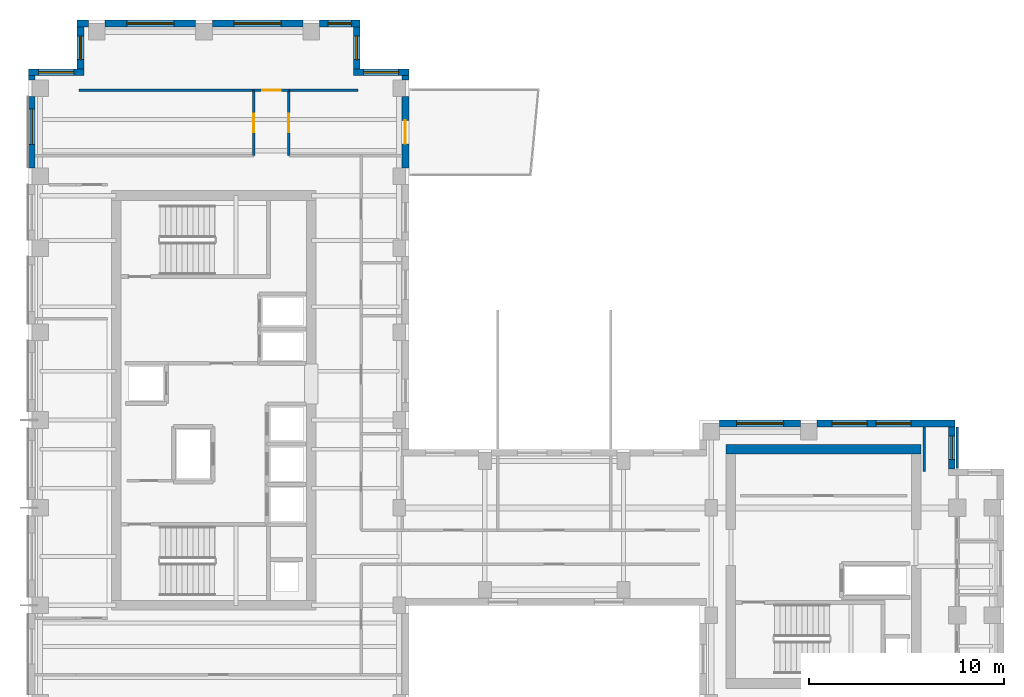
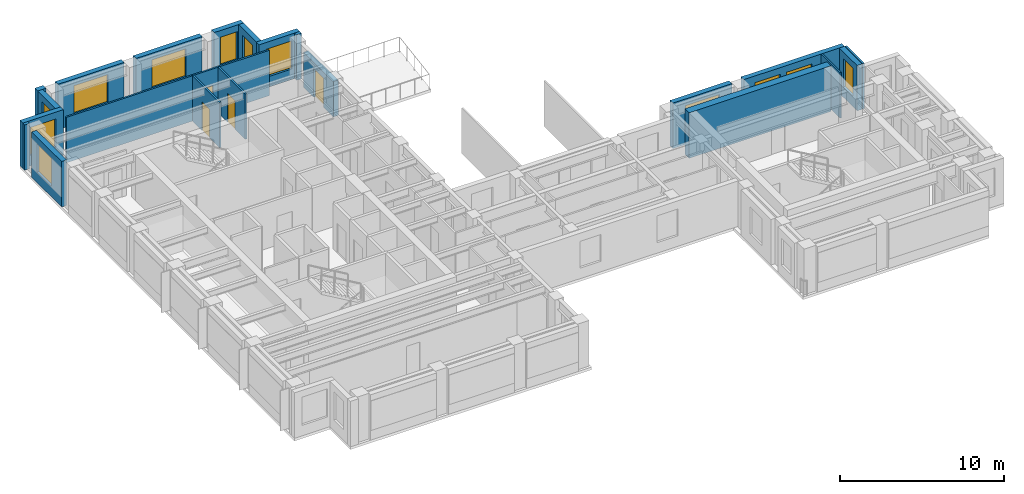
# One storey, part 7 of 10: 23 walls, 12 windows, 4 doors, 16 openings.
"""IFC4 building model written with IfcOpenShell, lengths in metres."""

from ifc_helpers import new_model, si_unit, direction, frame, frame_2d, origin, place, context, subcontext, project, spatial, rectangle, extrude, source, transform, mapped, material, layer, layer_set, type_object, element, fill, save


model = new_model("IFC4")

# Units and contexts
model_context = context("Model", 3, precision=1e-05, world=origin(), true_north=direction((0.0, 1.0)))
body_context = subcontext(model_context, "Body", "Model", "MODEL_VIEW")
ifc_project = project(units=[si_unit("LENGTHUNIT", "METRE"), si_unit("AREAUNIT", "SQUARE_METRE"), si_unit("VOLUMEUNIT", "CUBIC_METRE"), si_unit("PLANEANGLEUNIT", "RADIAN"), si_unit("MASSUNIT", "GRAM", prefix="KILO")], contexts=[model_context])

# Site, building, storey
site_placement = place(None, origin())
site = spatial("IfcSite", under=ifc_project, at=site_placement, CompositionType="ELEMENT")
building_placement = place(site_placement, origin())
building = spatial("IfcBuilding", under=site, at=building_placement, Name="Kharzan Plaza Tower", CompositionType="ELEMENT")
storey_placement = place(building_placement, frame((0.0, 0.0, 223.199951171875)))
storey = spatial("IfcBuildingStorey", under=building, at=storey_placement, Name="L60", CompositionType="ELEMENT", Elevation=223.199951171875)

# Wall, opening, door
ifc_material_1 = material(Name="Concrete C40/50", Category="concrete")
ifc_layer_1 = layer(ifc_material_1, 0.35009765625)
ifc_layer_set_1 = layer_set([ifc_layer_1], Name="Concrete C40/50")
wall_type_1 = type_object("IfcWallType", Name="WL-EXT-MAS-Z4", PredefinedType="SOLIDWALL", material=ifc_layer_set_1)
wall_1_placement = place(storey_placement, frame((19.324951171875, 30.923095703125, 0.0), z_axis=(0.0, 0.0, 1.0), x_axis=(0.0, 1.0, 0.0)))
wall_1 = element("IfcWall", 1, at=wall_1_placement, inside=storey, type_object=wall_type_1, Name="L60 Masonry-Frame Exterior Wall 05", PredefinedType="SOLIDWALL", context=body_context, shape_type="SweptSolid", body=[
    extrude(rectangle(XDim=3.65380859375, YDim=0.35009765625, at=frame_2d((1.826904296875, 0.0))), origin(), (0.0, 0.0, 1.0), 2.619140625),
])
opening_1_placement = place(wall_1_placement, frame((1.22705078125, 0.0, 0.0)))
opening_1 = element("IfcOpeningElement", 2, at=opening_1_placement, cuts=wall_1, Name="Opening ED3", PredefinedType="OPENING", context=body_context, shape_type="SweptSolid", body=[
    extrude(rectangle(XDim=1.199951171875, YDim=2.14990234375, at=frame_2d((0.60009765625, 1.074951171875))), frame((0.0, 0.18505859375, 0.0), z_axis=(0.0, -1.0, 0.0), x_axis=(1.0, 0.0, 0.0)), (0.0, 0.0, 1.0), 0.3701171875),
])
ifc_material_2 = material(Name="Thermally Broken Anodized Bronze Aluminium", Category="aluminium")
door_type_1 = type_object("IfcDoorType", Name="DR-EXT-TRAY-1200", OperationType="SINGLE_SWING_LEFT", PredefinedType="DOOR", material=ifc_material_2)
shared_shape_1 = source(origin(), body_context, "Body", "SweptSolid", [
    extrude(rectangle(XDim=1.199951171875, YDim=2.14990234375, at=frame_2d((0.60009765625, 1.074951171875))), frame((0.0, 0.02490234375, 0.0), z_axis=(0.0, -1.0, 0.0), x_axis=(1.0, 0.0, 0.0)), (0.0, 0.0, 1.0), 0.050048828125),
])
door_1_placement = place(opening_1_placement, frame((1.199951171875, 0.0, 0.0), z_axis=(0.0, 0.0, 1.0), x_axis=(-1.0, 0.0, 0.0)))
door_1 = element("IfcDoor", 3, at=door_1_placement, inside=storey, type_object=door_type_1, Name="L60 Cantilevered Sky-Terrace Tray Access Door", OperationType="SINGLE_SWING_LEFT", OverallHeight=2.14990234375, OverallWidth=1.199951171875, PredefinedType="DOOR", context=body_context, shape_type="MappedRepresentation", body=[
    mapped(shared_shape_1, transform((0.0, 0.0, 0.0), x_axis=(1.0, 0.0, 0.0), y_axis=(0.0, 1.0, 0.0), z_axis=(0.0, 0.0, 1.0))),
])
fill(opening_1, door_1)

# Wall, opening, window
wall_2_placement = place(storey_placement, frame((19.5, 35.824951171875, 0.0), z_axis=(0.0, 0.0, 1.0), x_axis=(-1.0, 0.0, 0.0)))
wall_2 = element("IfcWall", 4, at=wall_2_placement, inside=storey, type_object=wall_type_1, Name="L60 Masonry-Frame Exterior Wall 07", PredefinedType="SOLIDWALL", context=body_context, shape_type="SweptSolid", body=[
    extrude(rectangle(XDim=2.85009765625, YDim=0.35009765625, at=frame_2d((1.425048828125, 0.0))), origin(), (0.0, 0.0, 1.0), 3.385009765625),
])
opening_2_placement = place(wall_2_placement, frame((0.52490234375, 0.0, 0.780029296875)))
opening_2 = element("IfcOpeningElement", 5, at=opening_2_placement, cuts=wall_2, Name="Opening W1", PredefinedType="OPENING", context=body_context, shape_type="SweptSolid", body=[
    extrude(rectangle(XDim=1.800048828125, YDim=2.10009765625, at=frame_2d((0.89990234375, 1.050048828125))), frame((0.0, 0.18505859375, 0.0), z_axis=(0.0, -1.0, 0.0), x_axis=(1.0, 0.0, 0.0)), (0.0, 0.0, 1.0), 0.3701171875),
])
ifc_material_3 = material(Name="Low-E Double Glazing", Category="glass")
window_type_1 = type_object("IfcWindowType", Name="WN-REC-1800x2100", PartitioningType="SINGLE_PANEL", PredefinedType="WINDOW", material=ifc_material_3)
shared_shape_2 = source(origin(), body_context, "Body", "SweptSolid", [
    extrude(rectangle(XDim=1.800048828125, YDim=2.10009765625, at=frame_2d((0.89990234375, 1.050048828125))), frame((0.0, 0.030029296875, 0.0), z_axis=(0.0, -1.0, 0.0), x_axis=(1.0, 0.0, 0.0)), (0.0, 0.0, 1.0), 0.06005859375),
])
window_1_placement = place(opening_2_placement, origin())
window_1 = element("IfcWindow", 6, at=window_1_placement, inside=storey, type_object=window_type_1, Name="L60 Recessed Solar-Control Window 07-1", OverallHeight=2.10009765625, OverallWidth=1.800048828125, PartitioningType="SINGLE_PANEL", PredefinedType="WINDOW", context=body_context, shape_type="MappedRepresentation", body=[
    mapped(shared_shape_2, transform((0.0, 0.0, 0.0), x_axis=(1.0, 0.0, 0.0), y_axis=(0.0, 1.0, 0.0), z_axis=(0.0, 0.0, 1.0))),
])
fill(opening_2, window_1)

wall_3_placement = place(storey_placement, frame((16.824951171875, 35.998046875, 0.0), z_axis=(0.0, 0.0, 1.0), x_axis=(0.0, 1.0, 0.0)))
wall_3 = element("IfcWall", 7, at=wall_3_placement, inside=storey, type_object=wall_type_1, Name="L60 Masonry-Frame Exterior Wall 08", PredefinedType="SOLIDWALL", context=body_context, shape_type="SweptSolid", body=[
    extrude(rectangle(XDim=2.154052734375, YDim=0.35009765625, at=frame_2d((1.0771484375, 0.0))), origin(), (0.0, 0.0, 1.0), 3.385009765625),
])
opening_3_placement = place(wall_3_placement, frame((0.47705078125, 0.0, 0.780029296875)))
opening_3 = element("IfcOpeningElement", 8, at=opening_3_placement, cuts=wall_3, Name="Opening W3", PredefinedType="OPENING", context=body_context, shape_type="SweptSolid", body=[
    extrude(rectangle(XDim=1.199951171875, YDim=2.10009765625, at=frame_2d((0.60009765625, 1.050048828125))), frame((0.0, 0.18505859375, 0.0), z_axis=(0.0, -1.0, 0.0), x_axis=(1.0, 0.0, 0.0)), (0.0, 0.0, 1.0), 0.3701171875),
])
window_type_2 = type_object("IfcWindowType", Name="WN-REC-1200x2100", PartitioningType="SINGLE_PANEL", PredefinedType="WINDOW", material=ifc_material_3)
shared_shape_3 = source(origin(), body_context, "Body", "SweptSolid", [
    extrude(rectangle(XDim=1.199951171875, YDim=2.10009765625, at=frame_2d((0.60009765625, 1.050048828125))), frame((0.0, 0.030029296875, 0.0), z_axis=(0.0, -1.0, 0.0), x_axis=(1.0, 0.0, 0.0)), (0.0, 0.0, 1.0), 0.06005859375),
])
window_2_placement = place(opening_3_placement, origin())
window_2 = element("IfcWindow", 9, at=window_2_placement, inside=storey, type_object=window_type_2, Name="L60 Recessed Solar-Control Window 08-1", OverallHeight=2.10009765625, OverallWidth=1.199951171875, PartitioningType="SINGLE_PANEL", PredefinedType="WINDOW", context=body_context, shape_type="MappedRepresentation", body=[
    mapped(shared_shape_3, transform((0.0, 0.0, 0.0), x_axis=(1.0, 0.0, 0.0), y_axis=(0.0, 1.0, 0.0), z_axis=(0.0, 0.0, 1.0))),
])
fill(opening_3, window_2)

wall_4_placement = place(storey_placement, frame((17.0, 38.324951171875, 0.0), z_axis=(0.0, 0.0, 1.0), x_axis=(-1.0, 0.0, 0.0)))
wall_4 = element("IfcWall", 10, at=wall_4_placement, inside=storey, type_object=wall_type_1, Name="L60 Masonry-Frame Exterior Wall 09", PredefinedType="SOLIDWALL", context=body_context, shape_type="SweptSolid", body=[
    extrude(rectangle(XDim=2.076904296875, YDim=0.35009765625, at=frame_2d((1.03857421875, 0.0))), origin(), (0.0, 0.0, 1.0), 3.385009765625),
])
opening_4_placement = place(wall_4_placement, frame((0.4384765625, 0.0, 0.780029296875)))
opening_4 = element("IfcOpeningElement", 11, at=opening_4_placement, cuts=wall_4, Name="Opening W3", PredefinedType="OPENING", context=body_context, shape_type="SweptSolid", body=[
    extrude(rectangle(XDim=1.199951171875, YDim=2.10009765625, at=frame_2d((0.60009765625, 1.050048828125))), frame((0.0, 0.18505859375, 0.0), z_axis=(0.0, -1.0, 0.0), x_axis=(1.0, 0.0, 0.0)), (0.0, 0.0, 1.0), 0.3701171875),
])
window_3_placement = place(opening_4_placement, origin())
window_3 = element("IfcWindow", 12, at=window_3_placement, inside=storey, type_object=window_type_2, Name="L60 Recessed Solar-Control Window 09-1", OverallHeight=2.10009765625, OverallWidth=1.199951171875, PartitioningType="SINGLE_PANEL", PredefinedType="WINDOW", context=body_context, shape_type="MappedRepresentation", body=[
    mapped(shared_shape_3, transform((0.0, 0.0, 0.0), x_axis=(1.0, 0.0, 0.0), y_axis=(0.0, 1.0, 0.0), z_axis=(0.0, 0.0, 1.0))),
])
fill(opening_4, window_3)

wall_5_placement = place(storey_placement, frame((14.076904296875, 38.324951171875, 0.0), z_axis=(0.0, 0.0, 1.0), x_axis=(-1.0, 0.0, 0.0)))
wall_5 = element("IfcWall", 13, at=wall_5_placement, inside=storey, type_object=wall_type_1, Name="L60 Masonry-Frame Exterior Wall 10", PredefinedType="SOLIDWALL", context=body_context, shape_type="SweptSolid", body=[
    extrude(rectangle(XDim=4.65380859375, YDim=0.35009765625, at=frame_2d((2.326904296875, 0.0))), origin(), (0.0, 0.0, 1.0), 3.385009765625),
])
opening_5_placement = place(wall_5_placement, frame((1.126953125, 0.0, 0.780029296875)))
opening_5 = element("IfcOpeningElement", 14, at=opening_5_placement, cuts=wall_5, Name="Opening W2", PredefinedType="OPENING", context=body_context, shape_type="SweptSolid", body=[
    extrude(rectangle(XDim=2.39990234375, YDim=2.10009765625, at=frame_2d((1.199951171875, 1.050048828125))), frame((0.0, 0.18505859375, 0.0), z_axis=(0.0, -1.0, 0.0), x_axis=(1.0, 0.0, 0.0)), (0.0, 0.0, 1.0), 0.3701171875),
])
window_type_3 = type_object("IfcWindowType", Name="WN-REC-2400x2100", PartitioningType="SINGLE_PANEL", PredefinedType="WINDOW", material=ifc_material_3)
shared_shape_4 = source(origin(), body_context, "Body", "SweptSolid", [
    extrude(rectangle(XDim=2.39990234375, YDim=2.10009765625, at=frame_2d((1.199951171875, 1.050048828125))), frame((0.0, 0.030029296875, 0.0), z_axis=(0.0, -1.0, 0.0), x_axis=(1.0, 0.0, 0.0)), (0.0, 0.0, 1.0), 0.06005859375),
])
window_4_placement = place(opening_5_placement, origin())
window_4 = element("IfcWindow", 15, at=window_4_placement, inside=storey, type_object=window_type_3, Name="L60 Wide Recessed Solar-Control Window 10-1", OverallHeight=2.10009765625, OverallWidth=2.39990234375, PartitioningType="SINGLE_PANEL", PredefinedType="WINDOW", context=body_context, shape_type="MappedRepresentation", body=[
    mapped(shared_shape_4, transform((0.0, 0.0, 0.0), x_axis=(1.0, 0.0, 0.0), y_axis=(0.0, 1.0, 0.0), z_axis=(0.0, 0.0, 1.0))),
])
fill(opening_5, window_4)

wall_6_placement = place(storey_placement, frame((8.576904296875, 38.324951171875, 0.0), z_axis=(0.0, 0.0, 1.0), x_axis=(-1.0, 0.0, 0.0)))
wall_6 = element("IfcWall", 16, at=wall_6_placement, inside=storey, type_object=wall_type_1, Name="L60 Masonry-Frame Exterior Wall 11", PredefinedType="SOLIDWALL", context=body_context, shape_type="SweptSolid", body=[
    extrude(rectangle(XDim=4.65380859375, YDim=0.35009765625, at=frame_2d((2.326904296875, 0.0))), origin(), (0.0, 0.0, 1.0), 3.385009765625),
])
opening_6_placement = place(wall_6_placement, frame((1.126953125, 0.0, 0.780029296875)))
opening_6 = element("IfcOpeningElement", 17, at=opening_6_placement, cuts=wall_6, Name="Opening W2", PredefinedType="OPENING", context=body_context, shape_type="SweptSolid", body=[
    extrude(rectangle(XDim=2.39990234375, YDim=2.10009765625, at=frame_2d((1.199951171875, 1.050048828125))), frame((0.0, 0.18505859375, 0.0), z_axis=(0.0, -1.0, 0.0), x_axis=(1.0, 0.0, 0.0)), (0.0, 0.0, 1.0), 0.3701171875),
])
window_5_placement = place(opening_6_placement, origin())
window_5 = element("IfcWindow", 18, at=window_5_placement, inside=storey, type_object=window_type_3, Name="L60 Wide Recessed Solar-Control Window 11-1", OverallHeight=2.10009765625, OverallWidth=2.39990234375, PartitioningType="SINGLE_PANEL", PredefinedType="WINDOW", context=body_context, shape_type="MappedRepresentation", body=[
    mapped(shared_shape_4, transform((0.0, 0.0, 0.0), x_axis=(1.0, 0.0, 0.0), y_axis=(0.0, 1.0, 0.0), z_axis=(0.0, 0.0, 1.0))),
])
fill(opening_6, window_5)

wall_7_placement = place(storey_placement, frame((2.675048828125, 38.152099609375, 0.0), z_axis=(0.0, 0.0, 1.0), x_axis=(0.0, -1.0, 0.0)))
wall_7 = element("IfcWall", 19, at=wall_7_placement, inside=storey, type_object=wall_type_1, Name="L60 Masonry-Frame Exterior Wall 13", PredefinedType="SOLIDWALL", context=body_context, shape_type="SweptSolid", body=[
    extrude(rectangle(XDim=2.154052734375, YDim=0.35009765625, at=frame_2d((1.0771484375, 0.0))), origin(), (0.0, 0.0, 1.0), 3.385009765625),
])
opening_7_placement = place(wall_7_placement, frame((0.47705078125, 0.0, 0.780029296875)))
opening_7 = element("IfcOpeningElement", 20, at=opening_7_placement, cuts=wall_7, Name="Opening W3", PredefinedType="OPENING", context=body_context, shape_type="SweptSolid", body=[
    extrude(rectangle(XDim=1.199951171875, YDim=2.10009765625, at=frame_2d((0.60009765625, 1.050048828125))), frame((0.0, 0.18505859375, 0.0), z_axis=(0.0, -1.0, 0.0), x_axis=(1.0, 0.0, 0.0)), (0.0, 0.0, 1.0), 0.3701171875),
])
window_6_placement = place(opening_7_placement, origin())
window_6 = element("IfcWindow", 21, at=window_6_placement, inside=storey, type_object=window_type_2, Name="L60 Recessed Solar-Control Window 13-1", OverallHeight=2.10009765625, OverallWidth=1.199951171875, PartitioningType="SINGLE_PANEL", PredefinedType="WINDOW", context=body_context, shape_type="MappedRepresentation", body=[
    mapped(shared_shape_3, transform((0.0, 0.0, 0.0), x_axis=(1.0, 0.0, 0.0), y_axis=(0.0, 1.0, 0.0), z_axis=(0.0, 0.0, 1.0))),
])
fill(opening_7, window_6)

wall_8_placement = place(storey_placement, frame((2.85009765625, 35.824951171875, 0.0), z_axis=(0.0, 0.0, 1.0), x_axis=(-1.0, 0.0, 0.0)))
wall_8 = element("IfcWall", 22, at=wall_8_placement, inside=storey, type_object=wall_type_1, Name="L60 Masonry-Frame Exterior Wall 14", PredefinedType="SOLIDWALL", context=body_context, shape_type="SweptSolid", body=[
    extrude(rectangle(XDim=2.85009765625, YDim=0.35009765625, at=frame_2d((1.425048828125, 0.0))), origin(), (0.0, 0.0, 1.0), 3.385009765625),
])
opening_8_placement = place(wall_8_placement, frame((0.52490234375, 0.0, 0.780029296875)))
opening_8 = element("IfcOpeningElement", 23, at=opening_8_placement, cuts=wall_8, Name="Opening W1", PredefinedType="OPENING", context=body_context, shape_type="SweptSolid", body=[
    extrude(rectangle(XDim=1.800048828125, YDim=2.10009765625, at=frame_2d((0.89990234375, 1.050048828125))), frame((0.0, 0.18505859375, 0.0), z_axis=(0.0, -1.0, 0.0), x_axis=(1.0, 0.0, 0.0)), (0.0, 0.0, 1.0), 0.3701171875),
])
window_7_placement = place(opening_8_placement, origin())
window_7 = element("IfcWindow", 24, at=window_7_placement, inside=storey, type_object=window_type_1, Name="L60 Recessed Solar-Control Window 14-1", OverallHeight=2.10009765625, OverallWidth=1.800048828125, PartitioningType="SINGLE_PANEL", PredefinedType="WINDOW", context=body_context, shape_type="MappedRepresentation", body=[
    mapped(shared_shape_2, transform((0.0, 0.0, 0.0), x_axis=(1.0, 0.0, 0.0), y_axis=(0.0, 1.0, 0.0), z_axis=(0.0, 0.0, 1.0))),
])
fill(opening_8, window_7)

wall_9_placement = place(storey_placement, frame((0.175048828125, 34.576904296875, 0.0), z_axis=(0.0, 0.0, 1.0), x_axis=(0.0, -1.0, 0.0)))
wall_9 = element("IfcWall", 25, at=wall_9_placement, inside=storey, type_object=wall_type_1, Name="L60 Masonry-Frame Exterior Wall 16", PredefinedType="SOLIDWALL", context=body_context, shape_type="SweptSolid", body=[
    extrude(rectangle(XDim=3.65380859375, YDim=0.35009765625, at=frame_2d((1.826904296875, 0.0))), origin(), (0.0, 0.0, 1.0), 3.385009765625),
])
opening_9_placement = place(wall_9_placement, frame((0.6484375, 0.0, 0.780029296875)))
opening_9 = element("IfcOpeningElement", 26, at=opening_9_placement, cuts=wall_9, Name="Opening W1", PredefinedType="OPENING", context=body_context, shape_type="SweptSolid", body=[
    extrude(rectangle(XDim=1.800048828125, YDim=2.10009765625, at=frame_2d((0.89990234375, 1.050048828125))), frame((0.0, 0.18505859375, 0.0), z_axis=(0.0, -1.0, 0.0), x_axis=(1.0, 0.0, 0.0)), (0.0, 0.0, 1.0), 0.3701171875),
])
window_8_placement = place(opening_9_placement, origin())
window_8 = element("IfcWindow", 27, at=window_8_placement, inside=storey, type_object=window_type_1, Name="L60 Recessed Solar-Control Window 16-1", OverallHeight=2.10009765625, OverallWidth=1.800048828125, PartitioningType="SINGLE_PANEL", PredefinedType="WINDOW", context=body_context, shape_type="MappedRepresentation", body=[
    mapped(shared_shape_2, transform((0.0, 0.0, 0.0), x_axis=(1.0, 0.0, 0.0), y_axis=(0.0, 1.0, 0.0), z_axis=(0.0, 0.0, 1.0))),
])
fill(opening_9, window_8)

wall_10_placement = place(storey_placement, frame((47.324951171875, 15.498046875, 0.0), z_axis=(0.0, 0.0, 1.0), x_axis=(0.0, 1.0, 0.0)))
wall_10 = element("IfcWall", 28, at=wall_10_placement, inside=storey, type_object=wall_type_1, Name="L60 Masonry-Frame Exterior Wall 44", PredefinedType="SOLIDWALL", context=body_context, shape_type="SweptSolid", body=[
    extrude(rectangle(XDim=2.154052734375, YDim=0.35009765625, at=frame_2d((1.0771484375, 0.0))), origin(), (0.0, 0.0, 1.0), 3.385009765625),
])
opening_10_placement = place(wall_10_placement, frame((0.47705078125, 0.0, 0.780029296875)))
opening_10 = element("IfcOpeningElement", 29, at=opening_10_placement, cuts=wall_10, Name="Opening W3", PredefinedType="OPENING", context=body_context, shape_type="SweptSolid", body=[
    extrude(rectangle(XDim=1.199951171875, YDim=2.10009765625, at=frame_2d((0.60009765625, 1.050048828125))), frame((0.0, 0.18505859375, 0.0), z_axis=(0.0, -1.0, 0.0), x_axis=(1.0, 0.0, 0.0)), (0.0, 0.0, 1.0), 0.3701171875),
])
window_9_placement = place(opening_10_placement, origin())
window_9 = element("IfcWindow", 30, at=window_9_placement, inside=storey, type_object=window_type_2, Name="L60 Recessed Solar-Control Window 44-1", OverallHeight=2.10009765625, OverallWidth=1.199951171875, PartitioningType="SINGLE_PANEL", PredefinedType="WINDOW", context=body_context, shape_type="MappedRepresentation", body=[
    mapped(shared_shape_3, transform((0.0, 0.0, 0.0), x_axis=(1.0, 0.0, 0.0), y_axis=(0.0, 1.0, 0.0), z_axis=(0.0, 0.0, 1.0))),
])
fill(opening_10, window_9)

# Wall, openings, windows
wall_11_placement = place(storey_placement, frame((47.5, 17.824951171875, 0.0), z_axis=(0.0, 0.0, 1.0), x_axis=(-1.0, 0.0, 0.0)))
wall_11 = element("IfcWall", 31, at=wall_11_placement, inside=storey, type_object=wall_type_1, Name="L60 Masonry-Frame Exterior Wall 45", PredefinedType="SOLIDWALL", context=body_context, shape_type="SweptSolid", body=[
    extrude(rectangle(XDim=7.076904296875, YDim=0.35009765625, at=frame_2d((3.53857421875, 0.0))), origin(), (0.0, 0.0, 1.0), 3.385009765625),
])
opening_11_placement = place(wall_11_placement, frame((2.272216796875, 0.0, 0.780029296875)))
opening_11 = element("IfcOpeningElement", 32, at=opening_11_placement, cuts=wall_11, Name="Opening W1", PredefinedType="OPENING", context=body_context, shape_type="SweptSolid", body=[
    extrude(rectangle(XDim=1.800048828125, YDim=2.10009765625, at=frame_2d((0.89990234375, 1.050048828125))), frame((0.0, 0.18505859375, 0.0), z_axis=(0.0, -1.0, 0.0), x_axis=(1.0, 0.0, 0.0)), (0.0, 0.0, 1.0), 0.3701171875),
])
opening_12_placement = place(wall_11_placement, frame((4.5146484375, 0.0, 0.780029296875)))
opening_12 = element("IfcOpeningElement", 33, at=opening_12_placement, cuts=wall_11, Name="Opening W1", PredefinedType="OPENING", context=body_context, shape_type="SweptSolid", body=[
    extrude(rectangle(XDim=1.800048828125, YDim=2.10009765625, at=frame_2d((0.89990234375, 1.050048828125))), frame((0.0, 0.18505859375, 0.0), z_axis=(0.0, -1.0, 0.0), x_axis=(1.0, 0.0, 0.0)), (0.0, 0.0, 1.0), 0.3701171875),
])
window_10_placement = place(opening_11_placement, origin())
window_10 = element("IfcWindow", 34, at=window_10_placement, inside=storey, type_object=window_type_1, Name="L60 Recessed Solar-Control Window 45-1", OverallHeight=2.10009765625, OverallWidth=1.800048828125, PartitioningType="SINGLE_PANEL", PredefinedType="WINDOW", context=body_context, shape_type="MappedRepresentation", body=[
    mapped(shared_shape_2, transform((0.0, 0.0, 0.0), x_axis=(1.0, 0.0, 0.0), y_axis=(0.0, 1.0, 0.0), z_axis=(0.0, 0.0, 1.0))),
])
fill(opening_11, window_10)
window_11_placement = place(opening_12_placement, origin())
window_11 = element("IfcWindow", 35, at=window_11_placement, inside=storey, type_object=window_type_1, Name="L60 Recessed Solar-Control Window 45-2", OverallHeight=2.10009765625, OverallWidth=1.800048828125, PartitioningType="SINGLE_PANEL", PredefinedType="WINDOW", context=body_context, shape_type="MappedRepresentation", body=[
    mapped(shared_shape_2, transform((0.0, 0.0, 0.0), x_axis=(1.0, 0.0, 0.0), y_axis=(0.0, 1.0, 0.0), z_axis=(0.0, 0.0, 1.0))),
])
fill(opening_12, window_11)

# Wall, opening, window
wall_12_placement = place(storey_placement, frame((39.576904296875, 17.824951171875, 0.0), z_axis=(0.0, 0.0, 1.0), x_axis=(-1.0, 0.0, 0.0)))
wall_12 = element("IfcWall", 36, at=wall_12_placement, inside=storey, type_object=wall_type_1, Name="L60 Masonry-Frame Exterior Wall 46", PredefinedType="SOLIDWALL", context=body_context, shape_type="SweptSolid", body=[
    extrude(rectangle(XDim=4.15380859375, YDim=0.35009765625, at=frame_2d((2.076904296875, 0.0))), origin(), (0.0, 0.0, 1.0), 3.385009765625),
])
opening_13_placement = place(wall_12_placement, frame((0.876953125, 0.0, 0.780029296875)))
opening_13 = element("IfcOpeningElement", 37, at=opening_13_placement, cuts=wall_12, Name="Opening W2", PredefinedType="OPENING", context=body_context, shape_type="SweptSolid", body=[
    extrude(rectangle(XDim=2.39990234375, YDim=2.10009765625, at=frame_2d((1.199951171875, 1.050048828125))), frame((0.0, 0.18505859375, 0.0), z_axis=(0.0, -1.0, 0.0), x_axis=(1.0, 0.0, 0.0)), (0.0, 0.0, 1.0), 0.3701171875),
])
window_12_placement = place(opening_13_placement, origin())
window_12 = element("IfcWindow", 38, at=window_12_placement, inside=storey, type_object=window_type_3, Name="L60 Wide Recessed Solar-Control Window 46-1", OverallHeight=2.10009765625, OverallWidth=2.39990234375, PartitioningType="SINGLE_PANEL", PredefinedType="WINDOW", context=body_context, shape_type="MappedRepresentation", body=[
    mapped(shared_shape_4, transform((0.0, 0.0, 0.0), x_axis=(1.0, 0.0, 0.0), y_axis=(0.0, 1.0, 0.0), z_axis=(0.0, 0.0, 1.0))),
])
fill(opening_13, window_12)

# Wall, opening, door
ifc_material_4 = material(Name="Fire-Rated Gypsum Board Partition", Category="gypsum")
ifc_layer_2 = layer(ifc_material_4, 0.125)
ifc_layer_set_2 = layer_set([ifc_layer_2], Name="Fire-Rated Gypsum Board Partition")
wall_type_2 = type_object("IfcWallType", Name="WL-INT-PART-125", PredefinedType="PARTITIONING", material=ifc_layer_set_2)
wall_13_placement = place(storey_placement, frame((13.35009765625, 31.550048828125, 0.0), z_axis=(0.0, 0.0, 1.0), x_axis=(0.0, 1.0, 0.0)))
wall_13 = element("IfcWall", 39, at=wall_13_placement, inside=storey, type_object=wall_type_2, Name="L60 Interior Partition SH-SPE-1", PredefinedType="PARTITIONING", context=body_context, shape_type="SweptSolid", body=[
    extrude(rectangle(XDim=3.349853515625, YDim=0.125, at=frame_2d((1.6748046875, 0.0))), origin(), (0.0, 0.0, 1.0), 3.385009765625),
])
opening_14_placement = place(wall_13_placement, frame((1.199951171875, 0.0, 0.0)))
opening_14 = element("IfcOpeningElement", 40, at=opening_14_placement, cuts=wall_13, Name="Opening OD1", PredefinedType="OPENING", context=body_context, shape_type="SweptSolid", body=[
    extrude(rectangle(XDim=0.949951171875, YDim=2.14990234375, at=frame_2d((0.47509765625, 1.074951171875))), frame((0.0, 0.072509765625, 0.0), z_axis=(0.0, -1.0, 0.0), x_axis=(1.0, 0.0, 0.0)), (0.0, 0.0, 1.0), 0.14501953125),
])
ifc_material_5 = material(Name="Acoustic Solid-Core Stained Oak", Category="timber")
door_type_2 = type_object("IfcDoorType", Name="DR-OFF-SINGLE", OperationType="NOTDEFINED", PredefinedType="DOOR", material=ifc_material_5)
shared_shape_5 = source(origin(), body_context, "Body", "SweptSolid", [
    extrude(rectangle(XDim=0.949951171875, YDim=2.14990234375, at=frame_2d((0.47509765625, 1.074951171875))), frame((0.0, 0.02490234375, 0.0), z_axis=(0.0, -1.0, 0.0), x_axis=(1.0, 0.0, 0.0)), (0.0, 0.0, 1.0), 0.050048828125),
])
door_2_placement = place(opening_14_placement, origin())
door_2 = element("IfcDoor", 41, at=door_2_placement, inside=storey, type_object=door_type_2, Name="L60 Executive Tea Pantry Door", OperationType="SINGLE_SWING_RIGHT", OverallHeight=2.14990234375, OverallWidth=0.949951171875, PredefinedType="DOOR", context=body_context, shape_type="MappedRepresentation", body=[
    mapped(shared_shape_5, transform((0.0, 0.0, 0.0), x_axis=(1.0, 0.0, 0.0), y_axis=(0.0, 1.0, 0.0), z_axis=(0.0, 0.0, 1.0))),
])
fill(opening_14, door_2)

wall_14_placement = place(storey_placement, frame((11.550048828125, 34.89990234375, 0.0), z_axis=(0.0, 0.0, 1.0), x_axis=(1.0, 0.0, 0.0)))
wall_14 = element("IfcWall", 42, at=wall_14_placement, inside=storey, type_object=wall_type_2, Name="L60 Interior Partition SH-SPHD", PredefinedType="PARTITIONING", context=body_context, shape_type="SweptSolid", body=[
    extrude(rectangle(XDim=1.800048828125, YDim=0.125, at=frame_2d((0.89990234375, 0.0))), origin(), (0.0, 0.0, 1.0), 3.385009765625),
])
opening_15_placement = place(wall_14_placement, frame((0.425048828125, 0.0, 0.0)))
opening_15 = element("IfcOpeningElement", 43, at=opening_15_placement, cuts=wall_14, Name="Opening OD1", PredefinedType="OPENING", context=body_context, shape_type="SweptSolid", body=[
    extrude(rectangle(XDim=0.949951171875, YDim=2.14990234375, at=frame_2d((0.47509765625, 1.074951171875))), frame((0.0, 0.072509765625, 0.0), z_axis=(0.0, -1.0, 0.0), x_axis=(1.0, 0.0, 0.0)), (0.0, 0.0, 1.0), 0.14501953125),
])
door_3_placement = place(opening_15_placement, origin())
door_3 = element("IfcDoor", 44, at=door_3_placement, inside=storey, type_object=door_type_2, Name="L60 North Boardroom Door", OperationType="SINGLE_SWING_LEFT", OverallHeight=2.14990234375, OverallWidth=0.949951171875, PredefinedType="DOOR", context=body_context, shape_type="MappedRepresentation", body=[
    mapped(shared_shape_5, transform((0.0, 0.0, 0.0), x_axis=(1.0, 0.0, 0.0), y_axis=(0.0, 1.0, 0.0), z_axis=(0.0, 0.0, 1.0))),
])
fill(opening_15, door_3)

wall_15_placement = place(storey_placement, frame((11.550048828125, 31.550048828125, 0.0), z_axis=(0.0, 0.0, 1.0), x_axis=(0.0, 1.0, 0.0)))
wall_15 = element("IfcWall", 45, at=wall_15_placement, inside=storey, type_object=wall_type_2, Name="L60 Interior Partition SH-SPW-1", PredefinedType="PARTITIONING", context=body_context, shape_type="SweptSolid", body=[
    extrude(rectangle(XDim=3.349853515625, YDim=0.125, at=frame_2d((1.6748046875, 0.0))), origin(), (0.0, 0.0, 1.0), 3.385009765625),
])
opening_16_placement = place(wall_15_placement, frame((1.199951171875, 0.0, 0.0)))
opening_16 = element("IfcOpeningElement", 46, at=opening_16_placement, cuts=wall_15, Name="Opening OD1", PredefinedType="OPENING", context=body_context, shape_type="SweptSolid", body=[
    extrude(rectangle(XDim=0.949951171875, YDim=2.14990234375, at=frame_2d((0.47509765625, 1.074951171875))), frame((0.0, 0.072509765625, 0.0), z_axis=(0.0, -1.0, 0.0), x_axis=(1.0, 0.0, 0.0)), (0.0, 0.0, 1.0), 0.14501953125),
])
door_4_placement = place(opening_16_placement, origin())
door_4 = element("IfcDoor", 47, at=door_4_placement, inside=storey, type_object=door_type_2, Name="L60 Legal Research Office Door", OperationType="SINGLE_SWING_LEFT", OverallHeight=2.14990234375, OverallWidth=0.949951171875, PredefinedType="DOOR", context=body_context, shape_type="MappedRepresentation", body=[
    mapped(shared_shape_5, transform((0.0, 0.0, 0.0), x_axis=(1.0, 0.0, 0.0), y_axis=(0.0, 1.0, 0.0), z_axis=(0.0, 0.0, 1.0))),
])
fill(opening_16, door_4)

# Walls
shared_shape_6 = source(origin(), body_context, "Body", "SweptSolid", [
    extrude(rectangle(XDim=2.2978515625, YDim=0.125, at=frame_2d((1.14892578125, 0.0))), origin(), (0.0, 0.0, 1.0), 3.385009765625),
])
wall_16_placement = place(storey_placement, frame((45.919921875, 15.35009765625, 0.0), z_axis=(0.0, 0.0, 1.0), x_axis=(0.0, 1.0, 0.0)))
element("IfcWall", 48, at=wall_16_placement, inside=storey, type_object=wall_type_2, Name="L60 Interior Partition SH-RBNE0", PredefinedType="PARTITIONING", context=body_context, shape_type="MappedRepresentation", body=[
    mapped(shared_shape_6, transform((0.0, 0.0, 0.0), x_axis=(1.0, 0.0, 0.0), y_axis=(0.0, 1.0, 0.0), z_axis=(0.0, 0.0, 1.0))),
])
ifc_material_6 = material(Name="Concrete C50/60", Category="concrete")
ifc_layer_3 = layer(ifc_material_6, 0.5)
ifc_layer_set_3 = layer_set([ifc_layer_3], Name="Concrete C50/60")
wall_type_3 = type_object("IfcWallType", Name="WL-CORE-500", PredefinedType="SHEAR", material=ifc_layer_set_3)
shared_shape_7 = source(origin(), body_context, "Body", "SweptSolid", [
    extrude(rectangle(XDim=10.0, YDim=0.5, at=frame_2d((5.0, 0.0))), origin(), (0.0, 0.0, 1.0), 3.400146484375),
])
wall_17_placement = place(storey_placement, frame((35.75, 16.5, 0.0), z_axis=(0.0, 0.0, 1.0), x_axis=(1.0, 0.0, 0.0)))
element("IfcWall", 49, at=wall_17_placement, inside=storey, type_object=wall_type_3, Name="L60 CORE-B north RC shear wall", PredefinedType="SHEAR", context=body_context, shape_type="MappedRepresentation", body=[
    mapped(shared_shape_7, transform((0.0, 0.0, 0.0), x_axis=(1.0, 0.0, 0.0), y_axis=(0.0, 1.0, 0.0), z_axis=(0.0, 0.0, 1.0))),
])
shared_shape_8 = source(origin(), body_context, "Body", "SweptSolid", [
    extrude(rectangle(XDim=0.576904296875, YDim=0.35009765625, at=frame_2d((0.28857421875, 0.0))), origin(), (0.0, 0.0, 1.0), 3.385009765625),
])
wall_18_placement = place(storey_placement, frame((3.076904296875, 38.324951171875, 0.0), z_axis=(0.0, 0.0, 1.0), x_axis=(-1.0, 0.0, 0.0)))
element("IfcWall", 50, at=wall_18_placement, inside=storey, type_object=wall_type_1, Name="L60 Masonry-Frame Exterior Wall 12", PredefinedType="SOLIDWALL", context=body_context, shape_type="MappedRepresentation", body=[
    mapped(shared_shape_8, transform((0.0, 0.0, 0.0), x_axis=(1.0, 0.0, 0.0), y_axis=(0.0, 1.0, 0.0), z_axis=(0.0, 0.0, 1.0))),
])
shared_shape_9 = source(origin(), body_context, "Body", "SweptSolid", [
    extrude(rectangle(XDim=0.22900390625, YDim=0.35009765625, at=frame_2d((0.114501953125, 0.0))), origin(), (0.0, 0.0, 1.0), 3.385009765625),
])
for number, where, z_axis, x_axis, name in (
    (51, (19.324951171875, 35.423095703125, 0.0), (0.0, 0.0, 1.0), (0.0, 1.0, 0.0), "L60 Masonry-Frame Exterior Wall 06"),
    (52, (0.175048828125, 35.652099609375, 0.0), (0.0, 0.0, 1.0), (0.0, -1.0, 0.0), "L60 Masonry-Frame Exterior Wall 15"),
):
    element("IfcWall", number, at=place(storey_placement, frame(where, z_axis=z_axis, x_axis=x_axis)), inside=storey, type_object=wall_type_1, Name=name, PredefinedType="SOLIDWALL", context=body_context, shape_type="MappedRepresentation", body=[
        mapped(shared_shape_9, transform((0.0, 0.0, 0.0), x_axis=(1.0, 0.0, 0.0), y_axis=(0.0, 1.0, 0.0), z_axis=(0.0, 0.0, 1.0))),
    ])
shared_shape_10 = source(origin(), body_context, "Body", "SweptSolid", [
    extrude(rectangle(XDim=2.14794921875, YDim=0.125, at=frame_2d((1.073974609375, 0.0))), origin(), (0.0, 0.0, 1.0), 3.385009765625),
])
wall_19_placement = place(storey_placement, frame((47.60009765625, 15.501953125, 0.0), z_axis=(0.0, 0.0, 1.0), x_axis=(0.0, 1.0, 0.0)))
element("IfcWall", 53, at=wall_19_placement, inside=storey, type_object=wall_type_2, Name="L60 Interior Partition SH-B3W2N", PredefinedType="PARTITIONING", context=body_context, shape_type="MappedRepresentation", body=[
    mapped(shared_shape_10, transform((0.0, 0.0, 0.0), x_axis=(1.0, 0.0, 0.0), y_axis=(0.0, 1.0, 0.0), z_axis=(0.0, 0.0, 1.0))),
])
shared_shape_11 = source(origin(), body_context, "Body", "SweptSolid", [
    extrude(rectangle(XDim=3.5498046875, YDim=0.125, at=frame_2d((1.77490234375, 0.0))), origin(), (0.0, 0.0, 1.0), 3.385009765625),
])
wall_20_placement = place(storey_placement, frame((13.35009765625, 34.89990234375, 0.0), z_axis=(0.0, 0.0, 1.0), x_axis=(1.0, 0.0, 0.0)))
element("IfcWall", 54, at=wall_20_placement, inside=storey, type_object=wall_type_2, Name="L60 Interior Partition SH-SPHE", PredefinedType="PARTITIONING", context=body_context, shape_type="MappedRepresentation", body=[
    mapped(shared_shape_11, transform((0.0, 0.0, 0.0), x_axis=(1.0, 0.0, 0.0), y_axis=(0.0, 1.0, 0.0), z_axis=(0.0, 0.0, 1.0))),
])
shared_shape_12 = source(origin(), body_context, "Body", "SweptSolid", [
    extrude(rectangle(XDim=8.949951171875, YDim=0.125, at=frame_2d((4.47509765625, 0.0))), origin(), (0.0, 0.0, 1.0), 3.385009765625),
])
wall_21_placement = place(storey_placement, frame((2.60009765625, 34.89990234375, 0.0), z_axis=(0.0, 0.0, 1.0), x_axis=(1.0, 0.0, 0.0)))
element("IfcWall", 55, at=wall_21_placement, inside=storey, type_object=wall_type_2, Name="L60 Interior Partition SH-SPHW", PredefinedType="PARTITIONING", context=body_context, shape_type="MappedRepresentation", body=[
    mapped(shared_shape_12, transform((0.0, 0.0, 0.0), x_axis=(1.0, 0.0, 0.0), y_axis=(0.0, 1.0, 0.0), z_axis=(0.0, 0.0, 1.0))),
])

save(model, "model.ifc")
